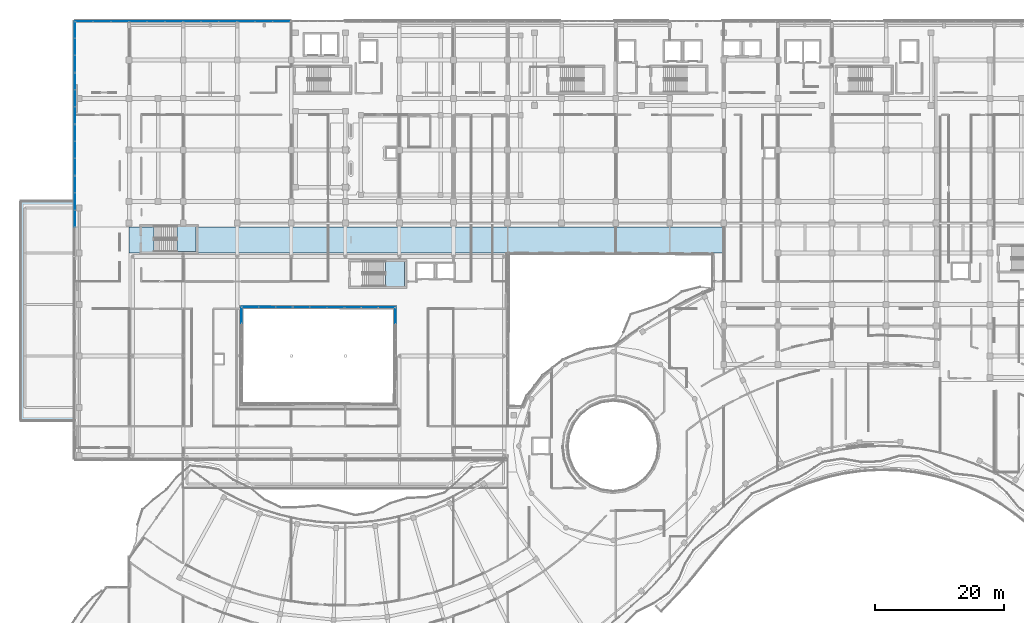
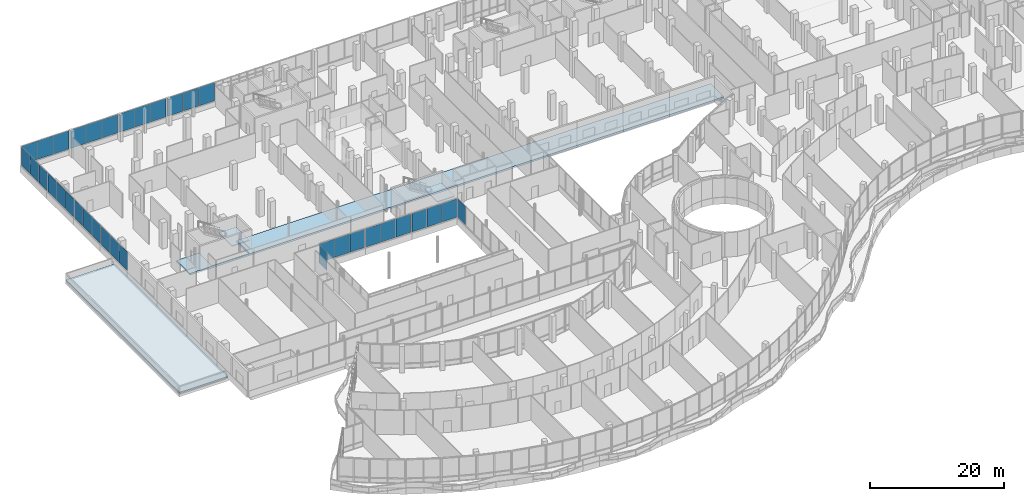
# One storey, part 131 of 168: 35 plates, 4 slabs, 15 elements without a shape of their own.
"""IFC4 building model written with IfcOpenShell, lengths in metres."""

from ifc_helpers import new_model, si_unit, direction, frame, origin, origin_2d, place, context, subcontext, project, spatial, polyline, rectangle, outline, extrude, material, layer, layer_set, type_object, element, aggregate, save


model = new_model("IFC4")

# Units and contexts
model_context = context("Model", 3, precision=1e-05, world=origin(), true_north=direction((0.0, 1.0)))
body_context = subcontext(model_context, "Body", "Model", "MODEL_VIEW")
ifc_project = project(units=[si_unit("LENGTHUNIT", "METRE"), si_unit("AREAUNIT", "SQUARE_METRE"), si_unit("VOLUMEUNIT", "CUBIC_METRE"), si_unit("PLANEANGLEUNIT", "RADIAN"), si_unit("MASSUNIT", "GRAM", prefix="KILO")], contexts=[model_context])

# Site, building, storey
site_placement = place(None, origin())
site = spatial("IfcSite", under=ifc_project, at=site_placement, CompositionType="ELEMENT")
building_placement = place(site_placement, origin())
building = spatial("IfcBuilding", under=site, at=building_placement, Name="Selatvlak General Hospital", CompositionType="ELEMENT")
storey_placement = place(building_placement, frame((0.0, 0.0, 5.39990234375)))
storey = spatial("IfcBuildingStorey", under=building, at=storey_placement, Name="L01", CompositionType="ELEMENT", Elevation=5.39990234375)

# Curtain wall, plates
ifc_material_1 = material(Name="Solar-control Low-E double glazing", Category="glass")
curtain_wall_type_1 = type_object("IfcCurtainWallType", Name="CW-CW-01", PredefinedType="USERDEFINED", material=ifc_material_1)
curtain_wall_1_placement = place(storey_placement, origin())
curtain_wall_1 = element("IfcCurtainWall", 1, at=curtain_wall_1_placement, inside=storey, type_object=curtain_wall_type_1, Name="Glazed facade curtain wall CW-L01-0108", ObjectType="UNITISED CURTAIN WALL", PredefinedType="USERDEFINED")
ifc_layer_1 = layer(ifc_material_1, 0.028076171875, Name="Solar-control Low-E double glazing", Category="glass")
ifc_layer_set_1 = layer_set([ifc_layer_1], Name="Solar-control Low-E double glazing")
plate_type = type_object("IfcPlateType", Name="CWP-01", PredefinedType="CURTAIN_PANEL", material=ifc_layer_set_1)
plate_1_placement = place(storey_placement, frame((14.39990234375, 89.358642578125, 1.005126953125), z_axis=(0.0, 0.0, 1.0), x_axis=(0.0, 1.0, 0.0)))
plate_1 = element("IfcPlate", 2, at=plate_1_placement, type_object=plate_type, Name="CW-01 panel 1.1", PredefinedType="CURTAIN_PANEL", context=body_context, shape_type="SweptSolid", body=[
    extrude(rectangle(XDim=2.55908203125, YDim=0.028076171875, at=origin_2d()), origin(), (0.0, 0.0, 1.0), 3.375),
])
plate_2_placement = place(storey_placement, frame((14.39990234375, 91.9990234375, 1.005126953125), z_axis=(0.0, 0.0, 1.0), x_axis=(0.0, 1.0, 0.0)))
plate_2 = element("IfcPlate", 3, at=plate_2_placement, type_object=plate_type, Name="CW-01 panel 2.1", PredefinedType="CURTAIN_PANEL", context=body_context, shape_type="SweptSolid", body=[
    extrude(rectangle(XDim=2.591552734375, YDim=0.028076171875, at=origin_2d()), origin(), (0.0, 0.0, 1.0), 3.375),
])
plate_3_placement = place(storey_placement, frame((14.39990234375, 94.639404296875, 1.005126953125), z_axis=(0.0, 0.0, 1.0), x_axis=(0.0, 1.0, 0.0)))
plate_3 = element("IfcPlate", 4, at=plate_3_placement, type_object=plate_type, Name="CW-01 panel 3.1", PredefinedType="CURTAIN_PANEL", context=body_context, shape_type="SweptSolid", body=[
    extrude(rectangle(XDim=2.55908203125, YDim=0.028076171875, at=origin_2d()), origin(), (0.0, 0.0, 1.0), 3.375),
])
aggregate(curtain_wall_1, [plate_1, plate_2, plate_3])

curtain_wall_type_2 = type_object("IfcCurtainWallType", Name="CW-CW-02", PredefinedType="USERDEFINED", material=ifc_material_1)
curtain_wall_2_placement = place(storey_placement, origin())
curtain_wall_2 = element("IfcCurtainWall", 5, at=curtain_wall_2_placement, inside=storey, type_object=curtain_wall_type_2, Name="Glazed facade curtain wall CW-L01-0109", ObjectType="UNITISED CURTAIN WALL", PredefinedType="USERDEFINED")
plate_4_placement = place(storey_placement, frame((14.39990234375, 97.400146484375, 1.005126953125), z_axis=(0.0, 0.0, 1.0), x_axis=(0.0, 1.0, 0.0)))
plate_4 = element("IfcPlate", 6, at=plate_4_placement, type_object=plate_type, Name="CW-02 panel 1.1", PredefinedType="CURTAIN_PANEL", context=body_context, shape_type="SweptSolid", body=[
    extrude(rectangle(XDim=2.54248046875, YDim=0.028076171875, at=origin_2d()), origin(), (0.0, 0.0, 1.0), 3.375),
])
plate_5_placement = place(storey_placement, frame((14.39990234375, 100.02392578125, 1.005126953125), z_axis=(0.0, 0.0, 1.0), x_axis=(0.0, 1.0, 0.0)))
plate_5 = element("IfcPlate", 7, at=plate_5_placement, type_object=plate_type, Name="CW-02 panel 2.1", PredefinedType="CURTAIN_PANEL", context=body_context, shape_type="SweptSolid", body=[
    extrude(rectangle(XDim=2.574951171875, YDim=0.028076171875, at=origin_2d()), origin(), (0.0, 0.0, 1.0), 3.375),
])
plate_6_placement = place(storey_placement, frame((14.39990234375, 102.647705078125, 1.005126953125), z_axis=(0.0, 0.0, 1.0), x_axis=(0.0, 1.0, 0.0)))
plate_6 = element("IfcPlate", 8, at=plate_6_placement, type_object=plate_type, Name="CW-02 panel 3.1", PredefinedType="CURTAIN_PANEL", context=body_context, shape_type="SweptSolid", body=[
    extrude(rectangle(XDim=2.54248046875, YDim=0.028076171875, at=origin_2d()), origin(), (0.0, 0.0, 1.0), 3.375),
])
aggregate(curtain_wall_2, [plate_4, plate_5, plate_6])

curtain_wall_3_placement = place(storey_placement, origin())
curtain_wall_3 = element("IfcCurtainWall", 9, at=curtain_wall_3_placement, inside=storey, type_object=curtain_wall_type_1, Name="Glazed facade curtain wall CW-L01-0110", ObjectType="UNITISED CURTAIN WALL", PredefinedType="USERDEFINED")
plate_7_placement = place(storey_placement, frame((14.39990234375, 105.400146484375, 1.005126953125), z_axis=(0.0, 0.0, 1.0), x_axis=(0.0, 1.0, 0.0)))
plate_7 = element("IfcPlate", 10, at=plate_7_placement, type_object=plate_type, Name="CW-01 panel 1.1", PredefinedType="CURTAIN_PANEL", context=body_context, shape_type="SweptSolid", body=[
    extrude(rectangle(XDim=2.54248046875, YDim=0.028076171875, at=origin_2d()), origin(), (0.0, 0.0, 1.0), 3.375),
])
plate_8_placement = place(storey_placement, frame((14.39990234375, 108.02392578125, 1.005126953125), z_axis=(0.0, 0.0, 1.0), x_axis=(0.0, 1.0, 0.0)))
plate_8 = element("IfcPlate", 11, at=plate_8_placement, type_object=plate_type, Name="CW-01 panel 2.1", PredefinedType="CURTAIN_PANEL", context=body_context, shape_type="SweptSolid", body=[
    extrude(rectangle(XDim=2.574951171875, YDim=0.028076171875, at=origin_2d()), origin(), (0.0, 0.0, 1.0), 3.375),
])
plate_9_placement = place(storey_placement, frame((14.39990234375, 110.647705078125, 1.005126953125), z_axis=(0.0, 0.0, 1.0), x_axis=(0.0, 1.0, 0.0)))
plate_9 = element("IfcPlate", 12, at=plate_9_placement, type_object=plate_type, Name="CW-01 panel 3.1", PredefinedType="CURTAIN_PANEL", context=body_context, shape_type="SweptSolid", body=[
    extrude(rectangle(XDim=2.54248046875, YDim=0.028076171875, at=origin_2d()), origin(), (0.0, 0.0, 1.0), 3.375),
])
aggregate(curtain_wall_3, [plate_7, plate_8, plate_9])

curtain_wall_4_placement = place(storey_placement, origin())
curtain_wall_4 = element("IfcCurtainWall", 13, at=curtain_wall_4_placement, inside=storey, type_object=curtain_wall_type_2, Name="Glazed facade curtain wall CW-L01-0111", ObjectType="UNITISED CURTAIN WALL", PredefinedType="USERDEFINED")
plate_10_placement = place(storey_placement, frame((14.39990234375, 113.400146484375, 1.005126953125), z_axis=(0.0, 0.0, 1.0), x_axis=(0.0, 1.0, 0.0)))
plate_10 = element("IfcPlate", 14, at=plate_10_placement, type_object=plate_type, Name="CW-02 panel 1.1", PredefinedType="CURTAIN_PANEL", context=body_context, shape_type="SweptSolid", body=[
    extrude(rectangle(XDim=2.54248046875, YDim=0.028076171875, at=origin_2d()), origin(), (0.0, 0.0, 1.0), 3.375),
])
plate_11_placement = place(storey_placement, frame((14.39990234375, 116.02392578125, 1.005126953125), z_axis=(0.0, 0.0, 1.0), x_axis=(0.0, 1.0, 0.0)))
plate_11 = element("IfcPlate", 15, at=plate_11_placement, type_object=plate_type, Name="CW-02 panel 2.1", PredefinedType="CURTAIN_PANEL", context=body_context, shape_type="SweptSolid", body=[
    extrude(rectangle(XDim=2.574951171875, YDim=0.028076171875, at=origin_2d()), origin(), (0.0, 0.0, 1.0), 3.375),
])
plate_12_placement = place(storey_placement, frame((14.39990234375, 118.647705078125, 1.005126953125), z_axis=(0.0, 0.0, 1.0), x_axis=(0.0, 1.0, 0.0)))
plate_12 = element("IfcPlate", 16, at=plate_12_placement, type_object=plate_type, Name="CW-02 panel 3.1", PredefinedType="CURTAIN_PANEL", context=body_context, shape_type="SweptSolid", body=[
    extrude(rectangle(XDim=2.54248046875, YDim=0.028076171875, at=origin_2d()), origin(), (0.0, 0.0, 1.0), 3.375),
])
aggregate(curtain_wall_4, [plate_10, plate_11, plate_12])

curtain_wall_5_placement = place(storey_placement, origin())
curtain_wall_5 = element("IfcCurtainWall", 17, at=curtain_wall_5_placement, inside=storey, type_object=curtain_wall_type_1, Name="Glazed facade curtain wall CW-L01-0112", ObjectType="UNITISED CURTAIN WALL", PredefinedType="USERDEFINED")
plate_13_placement = place(storey_placement, frame((15.864501953125, 119.9990234375, 1.005126953125), z_axis=(0.0, 0.0, 1.0), x_axis=(1.0, 0.0, 0.0)))
plate_13 = element("IfcPlate", 18, at=plate_13_placement, type_object=plate_type, Name="CW-01 panel 1.1", PredefinedType="CURTAIN_PANEL", context=body_context, shape_type="SweptSolid", body=[
    extrude(rectangle(XDim=2.669189453125, YDim=0.028076171875, at=origin_2d()), origin(), (0.0, 0.0, 1.0), 3.375),
])
plate_14_placement = place(storey_placement, frame((18.614990234375, 119.9990234375, 1.005126953125), z_axis=(0.0, 0.0, 1.0), x_axis=(1.0, 0.0, 0.0)))
plate_14 = element("IfcPlate", 19, at=plate_14_placement, type_object=plate_type, Name="CW-01 panel 2.1", PredefinedType="CURTAIN_PANEL", context=body_context, shape_type="SweptSolid", body=[
    extrude(rectangle(XDim=2.70166015625, YDim=0.028076171875, at=origin_2d()), origin(), (0.0, 0.0, 1.0), 3.375),
])
plate_15_placement = place(storey_placement, frame((21.365478515625, 119.9990234375, 1.005126953125), z_axis=(0.0, 0.0, 1.0), x_axis=(1.0, 0.0, 0.0)))
plate_15 = element("IfcPlate", 20, at=plate_15_placement, type_object=plate_type, Name="CW-01 panel 3.1", PredefinedType="CURTAIN_PANEL", context=body_context, shape_type="SweptSolid", body=[
    extrude(rectangle(XDim=2.669189453125, YDim=0.028076171875, at=origin_2d()), origin(), (0.0, 0.0, 1.0), 3.375),
])
aggregate(curtain_wall_5, [plate_13, plate_14, plate_15])

curtain_wall_6_placement = place(storey_placement, origin())
curtain_wall_6 = element("IfcCurtainWall", 21, at=curtain_wall_6_placement, inside=storey, type_object=curtain_wall_type_2, Name="Glazed facade curtain wall CW-L01-0113", ObjectType="UNITISED CURTAIN WALL", PredefinedType="USERDEFINED")
plate_16_placement = place(storey_placement, frame((24.24462890625, 119.9990234375, 1.005126953125), z_axis=(0.0, 0.0, 1.0), x_axis=(1.0, 0.0, 0.0)))
plate_16 = element("IfcPlate", 22, at=plate_16_placement, type_object=plate_type, Name="CW-02 panel 1.1", PredefinedType="CURTAIN_PANEL", context=body_context, shape_type="SweptSolid", body=[
    extrude(rectangle(XDim=2.669189453125, YDim=0.028076171875, at=origin_2d()), origin(), (0.0, 0.0, 1.0), 3.375),
])
plate_17_placement = place(storey_placement, frame((26.9951171875, 119.9990234375, 1.005126953125), z_axis=(0.0, 0.0, 1.0), x_axis=(1.0, 0.0, 0.0)))
plate_17 = element("IfcPlate", 23, at=plate_17_placement, type_object=plate_type, Name="CW-02 panel 2.1", PredefinedType="CURTAIN_PANEL", context=body_context, shape_type="SweptSolid", body=[
    extrude(rectangle(XDim=2.70166015625, YDim=0.028076171875, at=origin_2d()), origin(), (0.0, 0.0, 1.0), 3.375),
])
plate_18_placement = place(storey_placement, frame((29.745361328125, 119.9990234375, 1.005126953125), z_axis=(0.0, 0.0, 1.0), x_axis=(1.0, 0.0, 0.0)))
plate_18 = element("IfcPlate", 24, at=plate_18_placement, type_object=plate_type, Name="CW-02 panel 3.1", PredefinedType="CURTAIN_PANEL", context=body_context, shape_type="SweptSolid", body=[
    extrude(rectangle(XDim=2.669189453125, YDim=0.028076171875, at=origin_2d()), origin(), (0.0, 0.0, 1.0), 3.375),
])
aggregate(curtain_wall_6, [plate_16, plate_17, plate_18])

curtain_wall_7_placement = place(storey_placement, origin())
curtain_wall_7 = element("IfcCurtainWall", 25, at=curtain_wall_7_placement, inside=storey, type_object=curtain_wall_type_1, Name="Glazed facade curtain wall CW-L01-0114", ObjectType="UNITISED CURTAIN WALL", PredefinedType="USERDEFINED")
plate_19_placement = place(storey_placement, frame((32.62451171875, 119.9990234375, 1.005126953125), z_axis=(0.0, 0.0, 1.0), x_axis=(1.0, 0.0, 0.0)))
plate_19 = element("IfcPlate", 26, at=plate_19_placement, type_object=plate_type, Name="CW-01 panel 1.1", PredefinedType="CURTAIN_PANEL", context=body_context, shape_type="SweptSolid", body=[
    extrude(rectangle(XDim=2.669189453125, YDim=0.028076171875, at=origin_2d()), origin(), (0.0, 0.0, 1.0), 3.375),
])
plate_20_placement = place(storey_placement, frame((35.375, 119.9990234375, 1.005126953125), z_axis=(0.0, 0.0, 1.0), x_axis=(1.0, 0.0, 0.0)))
plate_20 = element("IfcPlate", 27, at=plate_20_placement, type_object=plate_type, Name="CW-01 panel 2.1", PredefinedType="CURTAIN_PANEL", context=body_context, shape_type="SweptSolid", body=[
    extrude(rectangle(XDim=2.70166015625, YDim=0.028076171875, at=origin_2d()), origin(), (0.0, 0.0, 1.0), 3.375),
])
plate_21_placement = place(storey_placement, frame((38.12548828125, 119.9990234375, 1.005126953125), z_axis=(0.0, 0.0, 1.0), x_axis=(1.0, 0.0, 0.0)))
plate_21 = element("IfcPlate", 28, at=plate_21_placement, type_object=plate_type, Name="CW-01 panel 3.1", PredefinedType="CURTAIN_PANEL", context=body_context, shape_type="SweptSolid", body=[
    extrude(rectangle(XDim=2.669189453125, YDim=0.028076171875, at=origin_2d()), origin(), (0.0, 0.0, 1.0), 3.375),
])
aggregate(curtain_wall_7, [plate_19, plate_20, plate_21])

curtain_wall_8_placement = place(storey_placement, origin())
curtain_wall_8 = element("IfcCurtainWall", 29, at=curtain_wall_8_placement, inside=storey, type_object=curtain_wall_type_2, Name="Glazed facade curtain wall CW-L01-0115", ObjectType="UNITISED CURTAIN WALL", PredefinedType="USERDEFINED")
plate_22_placement = place(storey_placement, frame((41.004638671875, 119.9990234375, 1.005126953125), z_axis=(0.0, 0.0, 1.0), x_axis=(1.0, 0.0, 0.0)))
plate_22 = element("IfcPlate", 30, at=plate_22_placement, type_object=plate_type, Name="CW-02 panel 1.1", PredefinedType="CURTAIN_PANEL", context=body_context, shape_type="SweptSolid", body=[
    extrude(rectangle(XDim=2.669189453125, YDim=0.028076171875, at=origin_2d()), origin(), (0.0, 0.0, 1.0), 3.375),
])
plate_23_placement = place(storey_placement, frame((43.7548828125, 119.9990234375, 1.005126953125), z_axis=(0.0, 0.0, 1.0), x_axis=(1.0, 0.0, 0.0)))
plate_23 = element("IfcPlate", 31, at=plate_23_placement, type_object=plate_type, Name="CW-02 panel 2.1", PredefinedType="CURTAIN_PANEL", context=body_context, shape_type="SweptSolid", body=[
    extrude(rectangle(XDim=2.70166015625, YDim=0.028076171875, at=origin_2d()), origin(), (0.0, 0.0, 1.0), 3.375),
])
plate_24_placement = place(storey_placement, frame((46.50537109375, 119.9990234375, 1.005126953125), z_axis=(0.0, 0.0, 1.0), x_axis=(1.0, 0.0, 0.0)))
plate_24 = element("IfcPlate", 32, at=plate_24_placement, type_object=plate_type, Name="CW-02 panel 3.1", PredefinedType="CURTAIN_PANEL", context=body_context, shape_type="SweptSolid", body=[
    extrude(rectangle(XDim=2.669189453125, YDim=0.028076171875, at=origin_2d()), origin(), (0.0, 0.0, 1.0), 3.375),
])
aggregate(curtain_wall_8, [plate_22, plate_23, plate_24])

# Curtain wall, plate
curtain_wall_9_placement = place(storey_placement, origin())
curtain_wall_9 = element("IfcCurtainWall", 33, at=curtain_wall_9_placement, inside=storey, type_object=curtain_wall_type_1, Name="Glazed facade curtain wall CW-L01-0229", ObjectType="UNITISED CURTAIN WALL", PredefinedType="USERDEFINED")
plate_25_placement = place(storey_placement, frame((40.2548828125, 74.31201171875, 1.005126953125), z_axis=(0.0, 0.0, 1.0), x_axis=(-0.003978748356, -0.999992084749, 0.0)))
plate_25 = element("IfcPlate", 34, at=plate_25_placement, type_object=plate_type, Name="CW-01 panel 1.1", PredefinedType="CURTAIN_PANEL", context=body_context, shape_type="SweptSolid", body=[
    extrude(rectangle(XDim=2.415771484375, YDim=0.028076171875, at=origin_2d()), origin(), (0.0, 0.0, 1.0), 3.375),
])
aggregate(curtain_wall_9, [plate_25])

curtain_wall_10_placement = place(storey_placement, origin())
curtain_wall_10 = element("IfcCurtainWall", 35, at=curtain_wall_10_placement, inside=storey, type_object=curtain_wall_type_2, Name="Glazed facade curtain wall CW-L01-0235", ObjectType="UNITISED CURTAIN WALL", PredefinedType="USERDEFINED")
plate_26_placement = place(storey_placement, frame((64.19482421875, 74.260498046875, 1.005126953125), z_axis=(0.0, 0.0, 1.0), x_axis=(0.00400530832, 0.99999197872, 0.0)))
plate_26 = element("IfcPlate", 36, at=plate_26_placement, type_object=plate_type, Name="CW-02 panel 3.1", PredefinedType="CURTAIN_PANEL", context=body_context, shape_type="SweptSolid", body=[
    extrude(rectangle(XDim=2.399169921875, YDim=0.028076171875, at=origin_2d()), origin(), (0.0, 0.0, 1.0), 3.375),
])
aggregate(curtain_wall_10, [plate_26])

# Curtain wall, plates
curtain_wall_11_placement = place(storey_placement, origin())
curtain_wall_11 = element("IfcCurtainWall", 37, at=curtain_wall_11_placement, inside=storey, type_object=curtain_wall_type_1, Name="Glazed facade curtain wall CW-L01-0236", ObjectType="UNITISED CURTAIN WALL", PredefinedType="USERDEFINED")
plate_27_placement = place(storey_placement, frame((62.802001953125, 75.54345703125, 1.005126953125), z_axis=(0.0, 0.0, 1.0), x_axis=(-0.999996795401, 0.002531637448, 0.0)))
plate_27 = element("IfcPlate", 38, at=plate_27_placement, type_object=plate_type, Name="CW-01 panel 1.1", PredefinedType="CURTAIN_PANEL", context=body_context, shape_type="SweptSolid", body=[
    extrude(rectangle(XDim=2.535888671875, YDim=0.028076171875, at=origin_2d()), origin(), (0.0, 0.0, 1.0), 3.375),
])
plate_28_placement = place(storey_placement, frame((60.18505859375, 75.550048828125, 1.005126953125), z_axis=(0.0, 0.0, 1.0), x_axis=(-0.999996795401, 0.002531637448, 0.0)))
plate_28 = element("IfcPlate", 39, at=plate_28_placement, type_object=plate_type, Name="CW-01 panel 2.1", PredefinedType="CURTAIN_PANEL", context=body_context, shape_type="SweptSolid", body=[
    extrude(rectangle(XDim=2.568359375, YDim=0.028076171875, at=origin_2d()), origin(), (0.0, 0.0, 1.0), 3.375),
])
plate_29_placement = place(storey_placement, frame((57.56787109375, 75.556640625, 1.005126953125), z_axis=(0.0, 0.0, 1.0), x_axis=(-0.999996795401, 0.002531637448, 0.0)))
plate_29 = element("IfcPlate", 40, at=plate_29_placement, type_object=plate_type, Name="CW-01 panel 3.1", PredefinedType="CURTAIN_PANEL", context=body_context, shape_type="SweptSolid", body=[
    extrude(rectangle(XDim=2.535888671875, YDim=0.028076171875, at=origin_2d()), origin(), (0.0, 0.0, 1.0), 3.375),
])
aggregate(curtain_wall_11, [plate_27, plate_28, plate_29])

curtain_wall_12_placement = place(storey_placement, origin())
curtain_wall_12 = element("IfcCurtainWall", 41, at=curtain_wall_12_placement, inside=storey, type_object=curtain_wall_type_2, Name="Glazed facade curtain wall CW-L01-0237", ObjectType="UNITISED CURTAIN WALL", PredefinedType="USERDEFINED")
plate_30_placement = place(storey_placement, frame((54.822021484375, 75.5634765625, 1.005126953125), z_axis=(0.0, 0.0, 1.0), x_axis=(-0.999996795401, 0.002531637448, 0.0)))
plate_30 = element("IfcPlate", 42, at=plate_30_placement, type_object=plate_type, Name="CW-02 panel 1.1", PredefinedType="CURTAIN_PANEL", context=body_context, shape_type="SweptSolid", body=[
    extrude(rectangle(XDim=2.535888671875, YDim=0.028076171875, at=origin_2d()), origin(), (0.0, 0.0, 1.0), 3.375),
])
plate_31_placement = place(storey_placement, frame((52.205078125, 75.570068359375, 1.005126953125), z_axis=(0.0, 0.0, 1.0), x_axis=(-0.999996795401, 0.002531637448, 0.0)))
plate_31 = element("IfcPlate", 43, at=plate_31_placement, type_object=plate_type, Name="CW-02 panel 2.1", PredefinedType="CURTAIN_PANEL", context=body_context, shape_type="SweptSolid", body=[
    extrude(rectangle(XDim=2.568359375, YDim=0.028076171875, at=origin_2d()), origin(), (0.0, 0.0, 1.0), 3.375),
])
plate_32_placement = place(storey_placement, frame((49.587890625, 75.57666015625, 1.005126953125), z_axis=(0.0, 0.0, 1.0), x_axis=(-0.999996795401, 0.002531637448, 0.0)))
plate_32 = element("IfcPlate", 44, at=plate_32_placement, type_object=plate_type, Name="CW-02 panel 3.1", PredefinedType="CURTAIN_PANEL", context=body_context, shape_type="SweptSolid", body=[
    extrude(rectangle(XDim=2.535888671875, YDim=0.028076171875, at=origin_2d()), origin(), (0.0, 0.0, 1.0), 3.375),
])
aggregate(curtain_wall_12, [plate_30, plate_31, plate_32])

curtain_wall_13_placement = place(storey_placement, origin())
curtain_wall_13 = element("IfcCurtainWall", 45, at=curtain_wall_13_placement, inside=storey, type_object=curtain_wall_type_1, Name="Glazed facade curtain wall CW-L01-0238", ObjectType="UNITISED CURTAIN WALL", PredefinedType="USERDEFINED")
plate_33_placement = place(storey_placement, frame((46.850341796875, 75.58349609375, 1.005126953125), z_axis=(0.0, 0.0, 1.0), x_axis=(-0.999996754448, 0.002547762424, 0.0)))
plate_33 = element("IfcPlate", 46, at=plate_33_placement, type_object=plate_type, Name="CW-01 panel 1.1", PredefinedType="CURTAIN_PANEL", context=body_context, shape_type="SweptSolid", body=[
    extrude(rectangle(XDim=2.519287109375, YDim=0.028076171875, at=origin_2d()), origin(), (0.0, 0.0, 1.0), 3.375),
])
plate_34_placement = place(storey_placement, frame((44.25, 75.590087890625, 1.005126953125), z_axis=(0.0, 0.0, 1.0), x_axis=(-0.999996754448, 0.002547762424, 0.0)))
plate_34 = element("IfcPlate", 47, at=plate_34_placement, type_object=plate_type, Name="CW-01 panel 2.1", PredefinedType="CURTAIN_PANEL", context=body_context, shape_type="SweptSolid", body=[
    extrude(rectangle(XDim=2.5517578125, YDim=0.028076171875, at=origin_2d()), origin(), (0.0, 0.0, 1.0), 3.375),
])
plate_35_placement = place(storey_placement, frame((41.649658203125, 75.5966796875, 1.005126953125), z_axis=(0.0, 0.0, 1.0), x_axis=(-0.999996754448, 0.002547762424, 0.0)))
plate_35 = element("IfcPlate", 48, at=plate_35_placement, type_object=plate_type, Name="CW-01 panel 3.1", PredefinedType="CURTAIN_PANEL", context=body_context, shape_type="SweptSolid", body=[
    extrude(rectangle(XDim=2.519287109375, YDim=0.028076171875, at=origin_2d()), origin(), (0.0, 0.0, 1.0), 3.375),
])
aggregate(curtain_wall_13, [plate_33, plate_34, plate_35])

# Stair, slab
ifc_material_2 = material(Name="Precast concrete C40/50", Category="concrete")
stair_type_1 = type_object("IfcStairType", Name="STAIR-ST-05", PredefinedType="HALF_TURN_STAIR", material=ifc_material_2)
stair_1_placement = place(storey_placement, origin())
stair_1 = element("IfcStair", 49, at=stair_1_placement, inside=storey, type_object=stair_type_1, Name="L01 Protected exit stair ST-05", PredefinedType="HALF_TURN_STAIR")
ifc_material_3 = material(Name="Concrete C40/50", Category="concrete")
ifc_layer_2 = layer(ifc_material_3, 0.199951171875, Name="Concrete C40/50", Category="concrete")
ifc_layer_set_2 = layer_set([ifc_layer_2], Name="Concrete C40/50")
slab_type_1 = type_object("IfcSlabType", Name="SLAB-LND1", PredefinedType="LANDING", material=ifc_layer_set_2)
slab_1_placement = place(storey_placement, frame((0.0, 0.0, 2.2001953125)))
slab_1 = element("IfcSlab", 50, at=slab_1_placement, type_object=slab_type_1, Name="ST-05 landing 1", PredefinedType="LANDING", context=body_context, shape_type="SweptSolid", body=[
    extrude(outline(polyline([(62.614990234375, 78.800048828125), (65.60009765625, 78.800048828125), (65.60009765625, 82.739990234375), (62.614990234375, 82.739990234375), (62.614990234375, 78.800048828125)])), origin(), (0.0, 0.0, 1.0), 0.199951171875),
])
aggregate(stair_1, [slab_1])

stair_type_2 = type_object("IfcStairType", Name="STAIR-ST-07", PredefinedType="HALF_TURN_STAIR", material=ifc_material_2)
stair_2_placement = place(storey_placement, origin())
stair_2 = element("IfcStair", 51, at=stair_2_placement, inside=storey, type_object=stair_type_2, Name="L01 Protected exit stair ST-07", PredefinedType="HALF_TURN_STAIR")
slab_2_placement = place(storey_placement, frame((0.0, 0.0, 2.2001953125)))
slab_2 = element("IfcSlab", 52, at=slab_2_placement, type_object=slab_type_1, Name="ST-07 landing 1", PredefinedType="LANDING", context=body_context, shape_type="SweptSolid", body=[
    extrude(outline(polyline([(30.215087890625, 84.199951171875), (33.199951171875, 84.199951171875), (33.199951171875, 88.139892578125), (30.215087890625, 88.139892578125), (30.215087890625, 84.199951171875)])), origin(), (0.0, 0.0, 1.0), 0.199951171875),
])
aggregate(stair_2, [slab_2])

# Slabs
ifc_layer_3 = layer(ifc_material_3, 0.320068359375, Name="Concrete C40/50", Category="concrete")
ifc_layer_set_3 = layer_set([ifc_layer_3], Name="Concrete C40/50")
slab_type_2 = type_object("IfcSlabType", Name="SLAB-SL-FL1", PredefinedType="FLOOR", material=ifc_layer_set_3)
slab_3_placement = place(storey_placement, frame((0.0, 0.0, -0.31982421875)))
element("IfcSlab", 53, at=slab_3_placement, inside=storey, type_object=slab_type_2, Name="L01 V3S structural slab", PredefinedType="FLOOR", context=body_context, shape_type="SweptSolid", body=[
    extrude(outline(polyline([(115.199951171875, 84.0), (22.80810546875, 84.008056640625), (22.80810546875, 88.0), (26.705078125, 88.0), (26.705078125, 84.199951171875), (33.199951171875, 84.199951171875), (33.199951171875, 88.0), (115.199951171875, 88.0), (115.199951171875, 84.0)])), origin(), (0.0, 0.0, 1.0), 0.31982421875),
])
ifc_layer_4 = layer(ifc_material_3, 0.239990234375, Name="Concrete C40/50", Category="concrete")
ifc_layer_set_4 = layer_set([ifc_layer_4], Name="Concrete C40/50")
slab_type_3 = type_object("IfcSlabType", Name="SLAB-SL-RF1", PredefinedType="ROOF", material=ifc_layer_set_4)
slab_4_placement = place(storey_placement, frame((0.0, 0.0, -0.31982421875)))
element("IfcSlab", 54, at=slab_4_placement, inside=storey, type_object=slab_type_3, Name="L01 roof slab ROOF-CANOPY", PredefinedType="ROOF", context=body_context, shape_type="SweptSolid", body=[
    extrude(outline(polyline([(6.0, 91.989990234375), (14.39208984375, 91.989990234375), (14.39208984375, 58.0), (6.0, 58.0), (6.0, 91.989990234375)])), origin(), (0.0, 0.0, 1.0), 0.239990234375),
])

save(model, "model.ifc")
